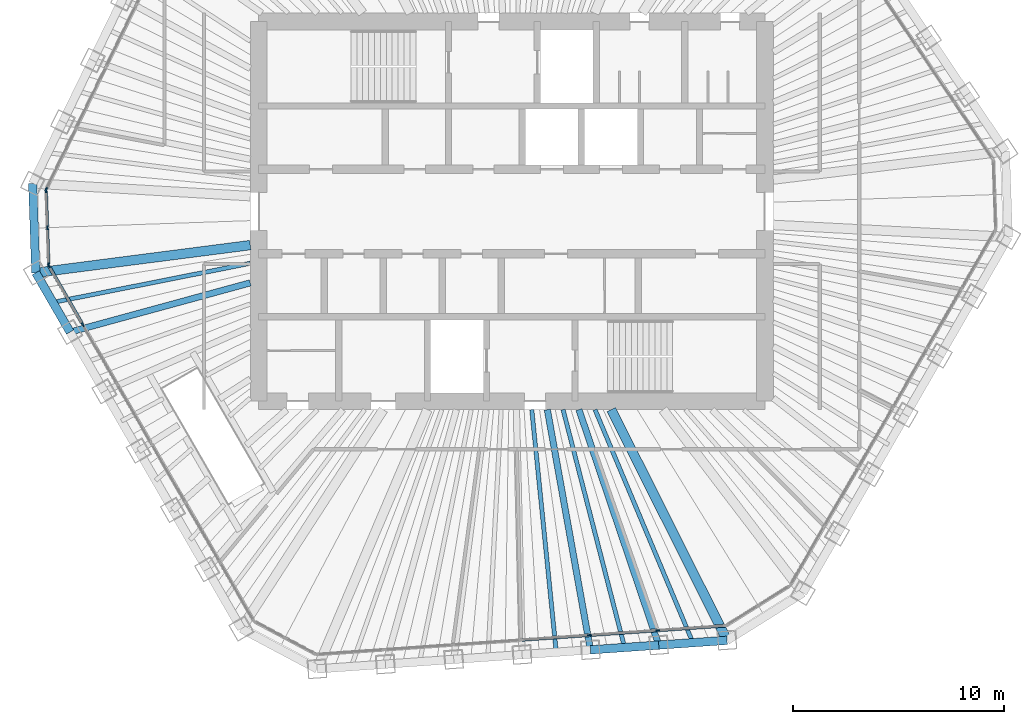
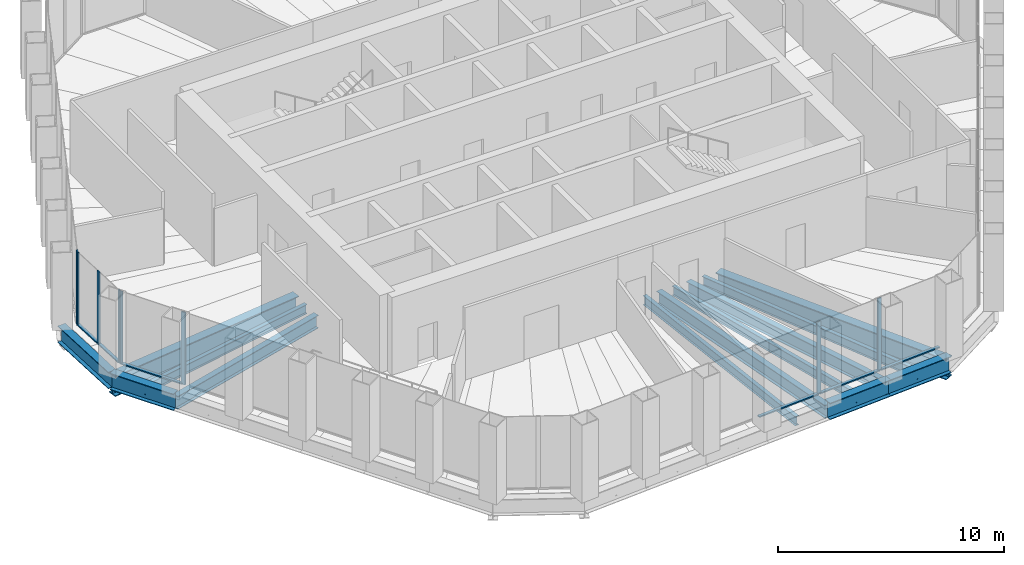
# One storey, part 3 of 14: 14 members, 13 beams, 4 elements without a shape of their own.
"""IFC4 building model written with IfcOpenShell, lengths in metres."""

from ifc_helpers import new_model, si_unit, direction, frame, origin, origin_2d, place, context, subcontext, project, spatial, rectangle, i_section, extrude, material, material_profile, profile_set, type_object, element, aggregate, save


model = new_model("IFC4")

# Units and contexts
model_context = context("Model", 3, precision=1e-05, world=origin(), true_north=direction((0.0, 1.0)))
body_context = subcontext(model_context, "Body", "Model", "MODEL_VIEW")
ifc_project = project(units=[si_unit("LENGTHUNIT", "METRE"), si_unit("AREAUNIT", "SQUARE_METRE"), si_unit("VOLUMEUNIT", "CUBIC_METRE"), si_unit("PLANEANGLEUNIT", "RADIAN"), si_unit("MASSUNIT", "GRAM", prefix="KILO")], contexts=[model_context])

# Site, building, storey
site_placement = place(None, origin())
site = spatial("IfcSite", under=ifc_project, at=site_placement, CompositionType="ELEMENT")
building_placement = place(site_placement, origin())
building = spatial("IfcBuilding", under=site, at=building_placement, Name="Qingtian Harvest Tower", CompositionType="ELEMENT")
storey_placement = place(building_placement, frame((0.0, 0.0, 333.39990234375)))
storey = spatial("IfcBuildingStorey", under=building, at=storey_placement, Name="L74", CompositionType="ELEMENT", Elevation=333.39990234375)

# Beams
ifc_material_1 = material(Name="Steel SM570MC", Category="steel")
ifc_material_profile_1 = material_profile(ifc_material_1, i_section(OverallWidth=0.449951171875, OverallDepth=1.10009765625, WebThickness=0.02197265625, FlangeThickness=0.044921875, at=origin_2d()), Name="H1100x450x22x45")
ifc_profile_set_1 = profile_set([ifc_material_profile_1], Name="Steel SM570MC")
beam_type_1 = type_object("IfcBeamType", Name="Corner floor beam FB8 H1100x450x22x45", PredefinedType="BEAM", material=ifc_profile_set_1)
beam_1_placement = place(storey_placement, frame((10.20947265625, -20.33740234375, -0.719970703125), z_axis=(-0.448649335107, 0.893707879627, 0.0), x_axis=(-0.893707879627, -0.448649335107, 0.0)))
element("IfcBeam", 1, at=beam_1_placement, inside=storey, type_object=beam_type_1, Name="Floor beam FB8 S0", PredefinedType="BEAM", context=body_context, shape_type="SweptSolid", body=[
    extrude(i_section(OverallWidth=0.449951171875, OverallDepth=1.10009765625, WebThickness=0.02197265625, FlangeThickness=0.044921875, at=origin_2d()), origin(), (0.0, 0.0, 1.0), 12.23828125),
])
beam_2_placement = place(storey_placement, frame((-22.569580078125, -2.908447265625, -0.719970703125), z_axis=(0.991798519758, 0.127811174026, 0.0), x_axis=(-0.127811174026, 0.991798519758, 0.0)))
element("IfcBeam", 2, at=beam_2_placement, inside=storey, type_object=beam_type_1, Name="Floor beam FB8 SW6", PredefinedType="BEAM", context=body_context, shape_type="SweptSolid", body=[
    extrude(i_section(OverallWidth=0.449951171875, OverallDepth=1.10009765625, WebThickness=0.02197265625, FlangeThickness=0.044921875, at=origin_2d()), origin(), (0.0, 0.0, 1.0), 10.253662109375),
])
ifc_material_2 = material(Name="Steel SN490B", Category="steel")
ifc_material_profile_2 = material_profile(ifc_material_2, i_section(OverallWidth=0.300048828125, OverallDepth=0.699951171875, WebThickness=0.012939453125, FlangeThickness=0.02392578125, at=origin_2d()), Name="H700x300x13x24")
ifc_profile_set_2 = profile_set([ifc_material_profile_2], Name="Steel SN490B")
beam_type_2 = type_object("IfcBeamType", Name="Floor beam FB4 H700x300x13x24", PredefinedType="BEAM", material=ifc_profile_set_2)
beam_3_placement = place(storey_placement, frame((6.96923828125, -20.56396484375, -0.52001953125), z_axis=(-0.320964658262, 0.947091172035, 0.0), x_axis=(-0.947091172035, -0.320964658262, 0.0)))
element("IfcBeam", 3, at=beam_3_placement, inside=storey, type_object=beam_type_2, Name="Floor beam FB4 S1", PredefinedType="BEAM", context=body_context, shape_type="SweptSolid", body=[
    extrude(i_section(OverallWidth=0.300048828125, OverallDepth=0.699951171875, WebThickness=0.012939453125, FlangeThickness=0.02392578125, at=origin_2d()), origin(), (0.0, 0.0, 1.0), 11.787841796875),
])
beam_4_placement = place(storey_placement, frame((3.729248046875, -20.79052734375, -0.52001953125), z_axis=(-0.176558725829, 0.984290107811, 0.0), x_axis=(-0.984290107811, -0.176558725829, 0.0)))
element("IfcBeam", 4, at=beam_4_placement, inside=storey, type_object=beam_type_2, Name="Floor beam FB4 S2", PredefinedType="BEAM", context=body_context, shape_type="SweptSolid", body=[
    extrude(i_section(OverallWidth=0.300048828125, OverallDepth=0.699951171875, WebThickness=0.012939453125, FlangeThickness=0.02392578125, at=origin_2d()), origin(), (0.0, 0.0, 1.0), 11.572509765625),
])
beam_5_placement = place(storey_placement, frame((-20.945556640625, -5.721435546875, -0.52001953125), z_axis=(0.96466071762, 0.26349516102, 0.0), x_axis=(-0.26349516102, 0.96466071762, 0.0)))
element("IfcBeam", 5, at=beam_5_placement, inside=storey, type_object=beam_type_2, Name="Floor beam FB4 SW5", PredefinedType="BEAM", context=body_context, shape_type="SweptSolid", body=[
    extrude(i_section(OverallWidth=0.300048828125, OverallDepth=0.699951171875, WebThickness=0.012939453125, FlangeThickness=0.02392578125, at=origin_2d()), origin(), (0.0, 0.0, 1.0), 8.858642578125),
])
ifc_material_3 = material(Name="Steel SN490B", Category="steel")
ifc_material_profile_3 = material_profile(ifc_material_3, i_section(OverallWidth=0.199951171875, OverallDepth=0.5, WebThickness=0.010009765625, FlangeThickness=0.01611328125, at=origin_2d()), Name="H500x200x10x16")
ifc_profile_set_3 = profile_set([ifc_material_profile_3], Name="Steel SN490B")
beam_type_3 = type_object("IfcBeamType", Name="Floor joist J3 H500x200x10x16", PredefinedType="JOIST", material=ifc_profile_set_3)
beam_6_placement = place(storey_placement, frame((8.58935546875, -20.45068359375, -0.419921875), z_axis=(-0.387234562114, 0.921981232946, 0.0), x_axis=(-0.921981232946, -0.387234562114, 0.0)))
element("IfcBeam", 6, at=beam_6_placement, inside=storey, type_object=beam_type_3, Name="Floor joist J3 S0", PredefinedType="JOIST", context=body_context, shape_type="SweptSolid", body=[
    extrude(i_section(OverallWidth=0.199951171875, OverallDepth=0.5, WebThickness=0.010009765625, FlangeThickness=0.01611328125, at=origin_2d()), origin(), (0.0, 0.0, 1.0), 11.98583984375),
])
beam_7_placement = place(storey_placement, frame((5.349365234375, -20.67724609375, -0.419921875), z_axis=(-0.250457336117, 0.968127637652, 0.0), x_axis=(-0.968127637652, -0.250457336117, 0.0)))
element("IfcBeam", 7, at=beam_7_placement, inside=storey, type_object=beam_type_3, Name="Floor joist J3 S1", PredefinedType="JOIST", context=body_context, shape_type="SweptSolid", body=[
    extrude(i_section(OverallWidth=0.199951171875, OverallDepth=0.5, WebThickness=0.010009765625, FlangeThickness=0.01611328125, at=origin_2d()), origin(), (0.0, 0.0, 1.0), 11.648681640625),
])
beam_8_placement = place(storey_placement, frame((2.109130859375, -20.90380859375, -0.419921875), z_axis=(-0.100381738783, 0.994948996943, 0.0), x_axis=(-0.994948996943, -0.100381738783, 0.0)))
element("IfcBeam", 8, at=beam_8_placement, inside=storey, type_object=beam_type_3, Name="Floor joist J3 S2", PredefinedType="JOIST", context=body_context, shape_type="SweptSolid", body=[
    extrude(i_section(OverallWidth=0.199951171875, OverallDepth=0.5, WebThickness=0.010009765625, FlangeThickness=0.01611328125, at=origin_2d()), origin(), (0.0, 0.0, 1.0), 11.562255859375),
])
beam_9_placement = place(storey_placement, frame((-21.757568359375, -4.31494140625, -0.419921875), z_axis=(0.980898289228, 0.194521325796, 0.0), x_axis=(-0.194521325796, 0.980898289228, 0.0)))
element("IfcBeam", 9, at=beam_9_placement, inside=storey, type_object=beam_type_3, Name="Floor joist J3 SW5", PredefinedType="JOIST", context=body_context, shape_type="SweptSolid", body=[
    extrude(i_section(OverallWidth=0.199951171875, OverallDepth=0.5, WebThickness=0.010009765625, FlangeThickness=0.01611328125, at=origin_2d()), origin(), (0.0, 0.0, 1.0), 9.539794921875),
])

# Curtain wall, members
ifc_material_4 = material(Name="Bronze-anodised aluminium curtain wall", Category="aluminium")
curtain_wall_type = type_object("IfcCurtainWallType", Name="Curtain wall CW6 executive floors", PredefinedType="USERDEFINED", material=ifc_material_4)
curtain_wall_1_placement = place(storey_placement, origin())
curtain_wall_1 = element("IfcCurtainWall", 10, at=curtain_wall_1_placement, inside=storey, type_object=curtain_wall_type, Name="Curtain wall CW6 L74 S0-5", ObjectType="RECESSED CURTAIN WALL", PredefinedType="USERDEFINED")
ifc_material_5 = material(Name="Bronze-anodised aluminium mullion", Category="aluminium")
ifc_material_profile_4 = material_profile(ifc_material_5, rectangle(XDim=0.06494140625, YDim=0.199951171875, at=origin_2d()), Name="AL 65x200")
ifc_profile_set_4 = profile_set([ifc_material_profile_4], Name="Bronze-anodised aluminium mullion")
member_type_1 = type_object("IfcMemberType", Name="Mullion CWM 65x200", PredefinedType="MULLION", material=ifc_profile_set_4)
member_1_placement = place(storey_placement, frame((6.92041015625, -19.86572265625, 0.0), z_axis=(0.0, 0.0, 1.0), x_axis=(0.069756473744, -0.99756405026, 0.0)))
member_1 = element("IfcMember", 11, at=member_1_placement, type_object=member_type_1, Name="CW6 mullion 2", PredefinedType="MULLION", context=body_context, shape_type="SweptSolid", body=[
    extrude(rectangle(XDim=0.06494140625, YDim=0.199951171875, at=origin_2d()), origin(), (0.0, 0.0, 1.0), 3.920166015625),
])
member_2_placement = place(storey_placement, frame((3.680419921875, -20.09228515625, 0.0), z_axis=(0.0, 0.0, 1.0), x_axis=(0.069756473744, -0.99756405026, 0.0)))
member_2 = element("IfcMember", 12, at=member_2_placement, type_object=member_type_1, Name="CW6 mullion 3", PredefinedType="MULLION", context=body_context, shape_type="SweptSolid", body=[
    extrude(rectangle(XDim=0.06494140625, YDim=0.199951171875, at=origin_2d()), origin(), (0.0, 0.0, 1.0), 3.920166015625),
])

curtain_wall_2_placement = place(storey_placement, origin())
curtain_wall_2 = element("IfcCurtainWall", 13, at=curtain_wall_2_placement, inside=storey, type_object=curtain_wall_type, Name="Curtain wall CW6 L74 SW0-5", ObjectType="RECESSED CURTAIN WALL", PredefinedType="USERDEFINED")
member_3_placement = place(storey_placement, frame((-20.33935546875, -5.371337890625, 0.0), z_axis=(0.0, 0.0, 1.0), x_axis=(-0.866025403784, -0.5, 0.0)))
member_3 = element("IfcMember", 14, at=member_3_placement, type_object=member_type_1, Name="CW6 mullion 6", PredefinedType="MULLION", context=body_context, shape_type="SweptSolid", body=[
    extrude(rectangle(XDim=0.06494140625, YDim=0.199951171875, at=origin_2d()), origin(), (0.0, 0.0, 1.0), 3.920166015625),
])
member_4_placement = place(storey_placement, frame((-21.947021484375, -2.586669921875, 0.0), z_axis=(0.0, 0.0, 1.0), x_axis=(-0.866025403784, -0.5, 0.0)))
member_4 = element("IfcMember", 15, at=member_4_placement, type_object=member_type_1, Name="CW6 mullion 7", PredefinedType="MULLION", context=body_context, shape_type="SweptSolid", body=[
    extrude(rectangle(XDim=0.06494140625, YDim=0.199951171875, at=origin_2d()), origin(), (0.0, 0.0, 1.0), 3.920166015625),
])

curtain_wall_3_placement = place(storey_placement, origin())
curtain_wall_3 = element("IfcCurtainWall", 16, at=curtain_wall_3_placement, inside=storey, type_object=curtain_wall_type, Name="Curtain wall CW6 L74 SWC", ObjectType="RECESSED CURTAIN WALL", PredefinedType="USERDEFINED")
member_5_placement = place(storey_placement, frame((-21.96435546875, -2.526123046875, 0.0), z_axis=(0.0, 0.0, 1.0), x_axis=(-0.999390827019, -0.034899496703, 0.0)))
member_5 = element("IfcMember", 17, at=member_5_placement, type_object=member_type_1, Name="CW6 mullion 1", PredefinedType="MULLION", context=body_context, shape_type="SweptSolid", body=[
    extrude(rectangle(XDim=0.06494140625, YDim=0.199951171875, at=origin_2d()), origin(), (0.0, 0.0, 1.0), 3.920166015625),
])
member_6_placement = place(storey_placement, frame((-22.025634765625, -0.76904296875, 0.0), z_axis=(0.0, 0.0, 1.0), x_axis=(-0.999390827019, -0.034899496703, 0.0)))
member_6 = element("IfcMember", 18, at=member_6_placement, type_object=member_type_1, Name="CW6 mullion 2", PredefinedType="MULLION", context=body_context, shape_type="SweptSolid", body=[
    extrude(rectangle(XDim=0.06494140625, YDim=0.199951171875, at=origin_2d()), origin(), (0.0, 0.0, 1.0), 3.920166015625),
])
member_7_placement = place(storey_placement, frame((-22.087158203125, 0.98779296875, 0.0), z_axis=(0.0, 0.0, 1.0), x_axis=(-0.999390827019, -0.034899496703, 0.0)))
member_7 = element("IfcMember", 19, at=member_7_placement, type_object=member_type_1, Name="CW6 mullion 3", PredefinedType="MULLION", context=body_context, shape_type="SweptSolid", body=[
    extrude(rectangle(XDim=0.06494140625, YDim=0.199951171875, at=origin_2d()), origin(), (0.0, 0.0, 1.0), 3.920166015625),
])

# Curtain wall, member
curtain_wall_4_placement = place(storey_placement, origin())
curtain_wall_4 = element("IfcCurtainWall", 20, at=curtain_wall_4_placement, inside=storey, type_object=curtain_wall_type, Name="Curtain wall CW6 L74 NW0-5", ObjectType="RECESSED CURTAIN WALL", PredefinedType="USERDEFINED")
member_8_placement = place(storey_placement, frame((-22.073974609375, 1.04931640625, 0.0), z_axis=(0.0, 0.0, 1.0), x_axis=(-0.898794046299, 0.438371146789, 0.0)))
member_8 = element("IfcMember", 21, at=member_8_placement, type_object=member_type_1, Name="CW6 mullion 1", PredefinedType="MULLION", context=body_context, shape_type="SweptSolid", body=[
    extrude(rectangle(XDim=0.06494140625, YDim=0.199951171875, at=origin_2d()), origin(), (0.0, 0.0, 1.0), 3.920166015625),
])
aggregate(curtain_wall_4, [member_8])

# Beams
ifc_material_6 = material(Name="Steel SN490B", Category="steel")
ifc_material_profile_5 = material_profile(ifc_material_6, i_section(OverallWidth=0.39990234375, OverallDepth=0.89990234375, WebThickness=0.01904296875, FlangeThickness=0.035888671875, at=origin_2d()), Name="H900x400x19x36")
ifc_profile_set_5 = profile_set([ifc_material_profile_5], Name="Steel SN490B")
beam_type_4 = type_object("IfcBeamType", Name="Spandrel beam SB4 H900x400x19x36", PredefinedType="SPANDREL", material=ifc_profile_set_5)
beam_10_placement = place(storey_placement, frame((10.20947265625, -20.33740234375, -0.449951171875), z_axis=(-0.9975644093, -0.069751339047, 0.0), x_axis=(0.069751339047, -0.9975644093, 0.0)))
element("IfcBeam", 22, at=beam_10_placement, inside=storey, type_object=beam_type_4, Name="Spandrel SB4 S0", PredefinedType="SPANDREL", context=body_context, shape_type="SweptSolid", body=[
    extrude(i_section(OverallWidth=0.39990234375, OverallDepth=0.89990234375, WebThickness=0.01904296875, FlangeThickness=0.035888671875, at=origin_2d()), origin(), (0.0, 0.0, 1.0), 3.248046875),
])
beam_11_placement = place(storey_placement, frame((6.96923828125, -20.56396484375, -0.449951171875), z_axis=(-0.997564043571, -0.069756569394, 0.0), x_axis=(0.069756569394, -0.997564043571, 0.0)))
element("IfcBeam", 23, at=beam_11_placement, inside=storey, type_object=beam_type_4, Name="Spandrel SB4 S1", PredefinedType="SPANDREL", context=body_context, shape_type="SweptSolid", body=[
    extrude(i_section(OverallWidth=0.39990234375, OverallDepth=0.89990234375, WebThickness=0.01904296875, FlangeThickness=0.035888671875, at=origin_2d()), origin(), (0.0, 0.0, 1.0), 3.247802734375),
])
beam_12_placement = place(storey_placement, frame((-20.945556640625, -5.721435546875, -0.449951171875), z_axis=(-0.499987045439, 0.866032882975, 0.0), x_axis=(-0.866032882975, -0.499987045439, 0.0)))
element("IfcBeam", 24, at=beam_12_placement, inside=storey, type_object=beam_type_4, Name="Spandrel SB4 SW5", PredefinedType="SPANDREL", context=body_context, shape_type="SweptSolid", body=[
    extrude(i_section(OverallWidth=0.39990234375, OverallDepth=0.89990234375, WebThickness=0.01904296875, FlangeThickness=0.035888671875, at=origin_2d()), origin(), (0.0, 0.0, 1.0), 3.248046875),
])
beam_13_placement = place(storey_placement, frame((-22.569580078125, -2.908447265625, -0.449951171875), z_axis=(-0.034851142499, 0.999392514414, 0.0), x_axis=(-0.999392514414, -0.034851142499, 0.0)))
element("IfcBeam", 25, at=beam_13_placement, inside=storey, type_object=beam_type_4, Name="Spandrel SB4 SWC", PredefinedType="SPANDREL", context=body_context, shape_type="SweptSolid", body=[
    extrude(i_section(OverallWidth=0.39990234375, OverallDepth=0.89990234375, WebThickness=0.01904296875, FlangeThickness=0.035888671875, at=origin_2d()), origin(), (0.0, 0.0, 1.0), 4.23828125),
])

# Member
ifc_material_7 = material(Name="Bronze-anodised aluminium transom", Category="aluminium")
ifc_material_profile_6 = material_profile(ifc_material_7, rectangle(XDim=0.14990234375, YDim=0.06494140625, at=origin_2d()), Name="AL 65x150")
ifc_profile_set_6 = profile_set([ifc_material_profile_6], Name="Bronze-anodised aluminium transom")
member_type_2 = type_object("IfcMemberType", Name="Transom CWT 65x150", PredefinedType="USERDEFINED", material=ifc_profile_set_6)
member_9_placement = place(storey_placement, frame((10.095703125, -19.6435546875, 0.03271484375), z_axis=(-0.997564955301, -0.069743529851, 0.0), x_axis=(0.069743529851, -0.997564955301, 0.0)))
member_9 = element("IfcMember", 26, at=member_9_placement, type_object=member_type_2, Name="CW6 transom 1.1", ObjectType="TRANSOM", PredefinedType="USERDEFINED", context=body_context, shape_type="SweptSolid", body=[
    extrude(rectangle(XDim=0.14990234375, YDim=0.06494140625, at=origin_2d()), origin(), (0.0, 0.0, 1.0), 3.150390625),
])

member_10_placement = place(storey_placement, frame((6.88818359375, -19.867919921875, 0.03271484375), z_axis=(-0.997566548107, -0.069720743674, 0.0), x_axis=(0.069720743674, -0.997566548107, 0.0)))
member_10 = element("IfcMember", 27, at=member_10_placement, type_object=member_type_2, Name="CW6 transom 2.1", ObjectType="TRANSOM", PredefinedType="USERDEFINED", context=body_context, shape_type="SweptSolid", body=[
    extrude(rectangle(XDim=0.14990234375, YDim=0.06494140625, at=origin_2d()), origin(), (0.0, 0.0, 1.0), 3.18310546875),
])

member_11_placement = place(storey_placement, frame((3.64794921875, -20.094482421875, 0.03271484375), z_axis=(-0.997566548107, -0.069720743674, 0.0), x_axis=(0.069720743674, -0.997566548107, 0.0)))
member_11 = element("IfcMember", 28, at=member_11_placement, type_object=member_type_2, Name="CW6 transom 3.1", ObjectType="TRANSOM", PredefinedType="USERDEFINED", context=body_context, shape_type="SweptSolid", body=[
    extrude(rectangle(XDim=0.14990234375, YDim=0.06494140625, at=origin_2d()), origin(), (0.0, 0.0, 1.0), 3.18310546875),
])

aggregate(curtain_wall_1, [member_1, member_2, member_9, member_10, member_11])

member_12_placement = place(storey_placement, frame((-20.35546875, -5.34326171875, 0.03271484375), z_axis=(-0.499972881236, 0.866041060244, 0.0), x_axis=(-0.866041060244, -0.499972881236, 0.0)))
member_12 = element("IfcMember", 29, at=member_12_placement, type_object=member_type_2, Name="CW6 transom 6.1", ObjectType="TRANSOM", PredefinedType="USERDEFINED", context=body_context, shape_type="SweptSolid", body=[
    extrude(rectangle(XDim=0.14990234375, YDim=0.06494140625, at=origin_2d()), origin(), (0.0, 0.0, 1.0), 3.150634765625),
])

aggregate(curtain_wall_2, [member_3, member_4, member_12])

member_13_placement = place(storey_placement, frame((-21.965576171875, -2.49365234375, 0.03271484375), z_axis=(-0.034899362377, 0.99939083171, 0.0), x_axis=(-0.99939083171, -0.034899362377, 0.0)))
member_13 = element("IfcMember", 30, at=member_13_placement, type_object=member_type_2, Name="CW6 transom 1.1", ObjectType="TRANSOM", PredefinedType="USERDEFINED", context=body_context, shape_type="SweptSolid", body=[
    extrude(rectangle(XDim=0.14990234375, YDim=0.06494140625, at=origin_2d()), origin(), (0.0, 0.0, 1.0), 1.69287109375),
])

member_14_placement = place(storey_placement, frame((-22.02685546875, -0.736572265625, 0.03271484375), z_axis=(-0.034899362377, 0.99939083171, 0.0), x_axis=(-0.99939083171, -0.034899362377, 0.0)))
member_14 = element("IfcMember", 31, at=member_14_placement, type_object=member_type_2, Name="CW6 transom 2.1", ObjectType="TRANSOM", PredefinedType="USERDEFINED", context=body_context, shape_type="SweptSolid", body=[
    extrude(rectangle(XDim=0.14990234375, YDim=0.06494140625, at=origin_2d()), origin(), (0.0, 0.0, 1.0), 1.69287109375),
])

aggregate(curtain_wall_3, [member_5, member_6, member_7, member_13, member_14])

save(model, "model.ifc")
